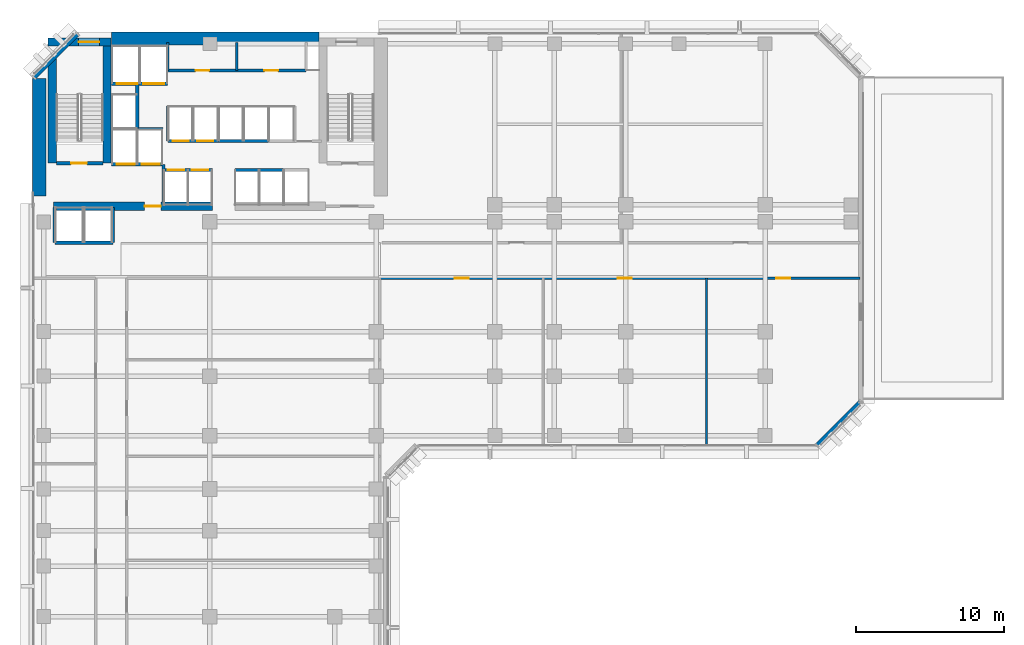
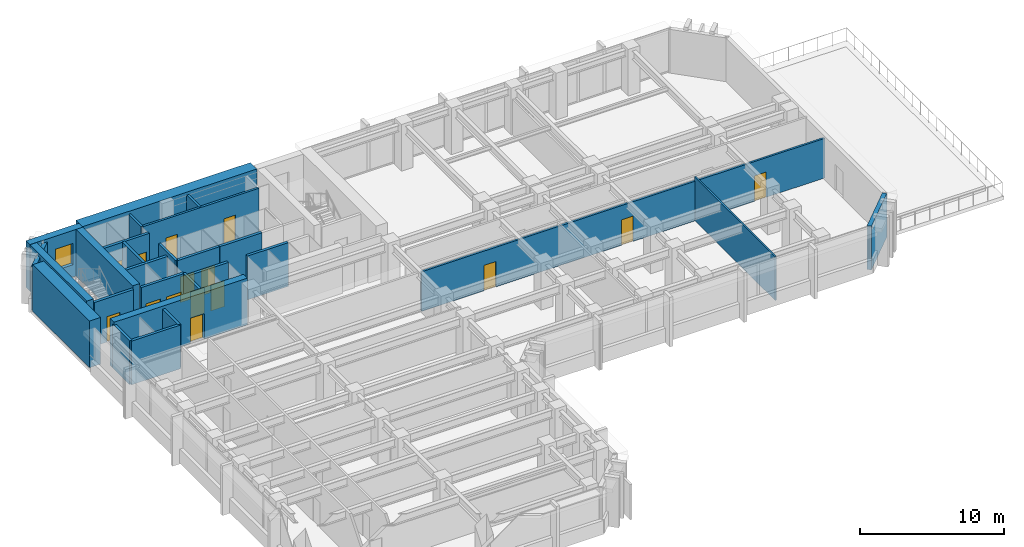
# One storey, part 7 of 13: 27 walls, 15 doors, 1 window, 16 openings.
"""IFC4 building model written with IfcOpenShell, lengths in metres."""

from ifc_helpers import new_model, si_unit, direction, frame, frame_2d, origin, place, context, subcontext, project, spatial, rectangle, extrude, material, layer, layer_set, type_object, element, fill, save


model = new_model("IFC4")

# Units and contexts
model_context = context("Model", 3, precision=1e-05, world=origin(), true_north=direction((0.0, 1.0)))
body_context = subcontext(model_context, "Body", "Model", "MODEL_VIEW")
ifc_project = project(units=[si_unit("LENGTHUNIT", "METRE"), si_unit("AREAUNIT", "SQUARE_METRE"), si_unit("VOLUMEUNIT", "CUBIC_METRE"), si_unit("PLANEANGLEUNIT", "RADIAN"), si_unit("MASSUNIT", "GRAM", prefix="KILO")], contexts=[model_context])

# Site, building, storey
site_placement = place(None, origin())
site = spatial("IfcSite", under=ifc_project, at=site_placement, CompositionType="ELEMENT")
building_placement = place(site_placement, origin())
building = spatial("IfcBuilding", under=site, at=building_placement, Name="Kefirva Bronze Tower", CompositionType="ELEMENT")
storey_placement = place(building_placement, frame((0.0, 0.0, 30.360107421875)))
storey = spatial("IfcBuildingStorey", under=building, at=storey_placement, Name="L06", CompositionType="ELEMENT", Elevation=30.360107421875)

# Wall
ifc_material_1 = material(Name="Gypsum acoustic partition")
ifc_layer_1 = layer(ifc_material_1, 0.1298828125, Name="Gypsum acoustic partition")
ifc_layer_set_1 = layer_set([ifc_layer_1], Name="Gypsum acoustic partition")
wall_type_1 = type_object("IfcWallType", Name="Acoustic Office Partition 130mm", PredefinedType="PARTITIONING", material=ifc_layer_set_1)
wall_1_placement = place(storey_placement, frame((45.454833984375, 18.18994140625, 0.0), z_axis=(0.0, 0.0, 1.0), x_axis=(0.0, 1.0, 0.0)))
element("IfcWall", 1, at=wall_1_placement, inside=storey, type_object=wall_type_1, Name="L06 Partition W-L06-ESD2", PredefinedType="PARTITIONING", context=body_context, shape_type="SweptSolid", body=[
    extrude(rectangle(XDim=11.2099609375, YDim=0.1298828125, at=frame_2d((5.60498046875, 0.0))), origin(), (0.0, 0.0, 1.0), 3.7099609375),
])

# Wall, opening, door
ifc_material_2 = material(Name="Gypsum fireboard shaftwall")
ifc_layer_2 = layer(ifc_material_2, 0.219970703125, Name="Gypsum fireboard shaftwall")
ifc_layer_set_2 = layer_set([ifc_layer_2], Name="Gypsum fireboard shaftwall")
wall_type_2 = type_object("IfcWallType", Name="Fire-Rated Shaft Enclosure Wall 220mm", PredefinedType="PARTITIONING", material=ifc_layer_set_2)
wall_2_placement = place(storey_placement, frame((1.64990234375, 37.14990234375, 0.0), z_axis=(0.0, 0.0, 1.0), x_axis=(1.0, 0.0, 0.0)))
wall_2 = element("IfcWall", 2, at=wall_2_placement, inside=storey, type_object=wall_type_2, Name="L06 Partition W-L06-ST1S", PredefinedType="PARTITIONING", context=body_context, shape_type="SweptSolid", body=[
    extrude(rectangle(XDim=3.150146484375, YDim=0.219970703125, at=frame_2d((1.5751953125, 0.0))), origin(), (0.0, 0.0, 1.0), 3.7099609375),
])
opening_1_placement = place(wall_2_placement, frame((2.050048828125, 0.0, 0.0), z_axis=(0.0, 0.0, 1.0), x_axis=(-1.0, 0.0, 0.0)))
opening_1 = element("IfcOpeningElement", 3, at=opening_1_placement, cuts=wall_2, Name="Opening L06-D001", PredefinedType="OPENING", context=body_context, shape_type="SweptSolid", body=[
    extrude(rectangle(XDim=1.050048828125, YDim=2.14990234375, at=frame_2d((0.52490234375, 1.074951171875))), frame((0.0, 0.1201171875, 0.0), z_axis=(0.0, -1.0, 0.0), x_axis=(1.0, 0.0, 0.0)), (0.0, 0.0, 1.0), 0.239990234375),
])
ifc_material_3 = material(Name="Painted galvanized steel", Category="steel")
door_type_1 = type_object("IfcDoorType", Name="Fire Stair Enclosure Door 1050x2150 FD90S", OperationType="NOTDEFINED", PredefinedType="DOOR", material=ifc_material_3)
door_1_placement = place(opening_1_placement, origin())
door_1 = element("IfcDoor", 4, at=door_1_placement, inside=storey, type_object=door_type_1, Name="Door L06-D001", OperationType="SINGLE_SWING_RIGHT", OverallHeight=2.14990234375, OverallWidth=1.050048828125, PredefinedType="DOOR", context=body_context, shape_type="SweptSolid", body=[
    extrude(rectangle(XDim=1.050048828125, YDim=2.14990234375, at=frame_2d((0.52490234375, 1.074951171875))), frame((0.0, 0.02490234375, 0.0), z_axis=(0.0, -1.0, 0.0), x_axis=(1.0, 0.0, 0.0)), (0.0, 0.0, 1.0), 0.050048828125),
])
fill(opening_1, door_1)

# Wall, openings, doors
wall_3_placement = place(storey_placement, frame((5.3798828125, 37.080078125, 0.0), z_axis=(0.0, 0.0, 1.0), x_axis=(1.0, 0.0, 0.0)))
wall_3 = element("IfcWall", 5, at=wall_3_placement, inside=storey, type_object=wall_type_2, Name="L06 Partition W-L06-FFS", PredefinedType="PARTITIONING", context=body_context, shape_type="SweptSolid", body=[
    extrude(rectangle(XDim=3.460205078125, YDim=0.219970703125, at=frame_2d((1.72998046875, 0.0))), origin(), (0.0, 0.0, 1.0), 3.7099609375),
])
opening_2_placement = place(wall_3_placement, frame((1.550048828125, 0.0, 0.0), z_axis=(0.0, 0.0, 1.0), x_axis=(-1.0, 0.0, 0.0)))
opening_2 = element("IfcOpeningElement", 6, at=opening_2_placement, cuts=wall_3, Name="Opening L06-LD-FF1", PredefinedType="OPENING", context=body_context, shape_type="SweptSolid", body=[
    extrude(rectangle(XDim=1.199951171875, YDim=2.199951171875, at=frame_2d((0.60009765625, 1.10009765625))), frame((0.0, 0.1201171875, 0.0), z_axis=(0.0, -1.0, 0.0), x_axis=(1.0, 0.0, 0.0)), (0.0, 0.0, 1.0), 0.239990234375),
])
opening_3_placement = place(wall_3_placement, frame((3.219970703125, 0.0, 0.0), z_axis=(0.0, 0.0, 1.0), x_axis=(-1.0, 0.0, 0.0)))
opening_3 = element("IfcOpeningElement", 7, at=opening_3_placement, cuts=wall_3, Name="Opening L06-LD-FF2", PredefinedType="OPENING", context=body_context, shape_type="SweptSolid", body=[
    extrude(rectangle(XDim=1.199951171875, YDim=2.199951171875, at=frame_2d((0.60009765625, 1.10009765625))), frame((0.0, 0.1201171875, 0.0), z_axis=(0.0, -1.0, 0.0), x_axis=(1.0, 0.0, 0.0)), (0.0, 0.0, 1.0), 0.239990234375),
])
ifc_material_4 = material(Name="Stainless steel 316", Category="steel")
door_type_2 = type_object("IfcDoorType", Name="Firefighting Lift Sliding Door 1200x2200", OperationType="SLIDING_TO_RIGHT", PredefinedType="DOOR", material=ifc_material_4)
door_2_placement = place(opening_2_placement, origin())
door_2 = element("IfcDoor", 8, at=door_2_placement, inside=storey, type_object=door_type_2, Name="Door L06-LD-FF1", OperationType="SLIDING_TO_RIGHT", OverallHeight=2.199951171875, OverallWidth=1.199951171875, PredefinedType="DOOR", context=body_context, shape_type="SweptSolid", body=[
    extrude(rectangle(XDim=1.199951171875, YDim=2.199951171875, at=frame_2d((0.60009765625, 1.10009765625))), frame((0.0, 0.02490234375, 0.0), z_axis=(0.0, -1.0, 0.0), x_axis=(1.0, 0.0, 0.0)), (0.0, 0.0, 1.0), 0.050048828125),
])
fill(opening_2, door_2)
door_3_placement = place(opening_3_placement, origin())
door_3 = element("IfcDoor", 9, at=door_3_placement, inside=storey, type_object=door_type_2, Name="Door L06-LD-FF2", OperationType="SLIDING_TO_RIGHT", OverallHeight=2.199951171875, OverallWidth=1.199951171875, PredefinedType="DOOR", context=body_context, shape_type="SweptSolid", body=[
    extrude(rectangle(XDim=1.199951171875, YDim=2.199951171875, at=frame_2d((0.60009765625, 1.10009765625))), frame((0.0, 0.02490234375, 0.0), z_axis=(0.0, -1.0, 0.0), x_axis=(1.0, 0.0, 0.0)), (0.0, 0.0, 1.0), 0.050048828125),
])
fill(opening_3, door_3)

# Wall
wall_4_placement = place(storey_placement, frame((5.3798828125, 39.449951171875, 0.0), z_axis=(0.0, 0.0, 1.0), x_axis=(1.0, 0.0, 0.0)))
element("IfcWall", 10, at=wall_4_placement, inside=storey, type_object=wall_type_2, Name="L06 Partition W-L06-FFN", PredefinedType="PARTITIONING", context=body_context, shape_type="SweptSolid", body=[
    extrude(rectangle(XDim=3.460205078125, YDim=0.219970703125, at=frame_2d((1.72998046875, 0.0))), origin(), (0.0, 0.0, 1.0), 3.7099609375),
])

# Wall, openings, doors
wall_5_placement = place(storey_placement, frame((5.3798828125, 42.5, 0.0), z_axis=(0.0, 0.0, 1.0), x_axis=(1.0, 0.0, 0.0)))
wall_5 = element("IfcWall", 11, at=wall_5_placement, inside=storey, type_object=wall_type_2, Name="L06 Partition W-L06-SVS", PredefinedType="PARTITIONING", context=body_context, shape_type="SweptSolid", body=[
    extrude(rectangle(XDim=3.77001953125, YDim=0.219970703125, at=frame_2d((1.885009765625, 0.0))), origin(), (0.0, 0.0, 1.0), 3.7099609375),
])
opening_4_placement = place(wall_5_placement, frame((1.75, 0.0, 0.0), z_axis=(0.0, 0.0, 1.0), x_axis=(-1.0, 0.0, 0.0)))
opening_4 = element("IfcOpeningElement", 12, at=opening_4_placement, cuts=wall_5, Name="Opening L06-LD-SV1", PredefinedType="OPENING", context=body_context, shape_type="SweptSolid", body=[
    extrude(rectangle(XDim=1.39990234375, YDim=2.199951171875, at=frame_2d((0.699951171875, 1.10009765625))), frame((0.0, 0.1201171875, 0.0), z_axis=(0.0, -1.0, 0.0), x_axis=(1.0, 0.0, 0.0)), (0.0, 0.0, 1.0), 0.239990234375),
])
opening_5_placement = place(wall_5_placement, frame((3.52978515625, 0.0, 0.0), z_axis=(0.0, 0.0, 1.0), x_axis=(-1.0, 0.0, 0.0)))
opening_5 = element("IfcOpeningElement", 13, at=opening_5_placement, cuts=wall_5, Name="Opening L06-LD-SV2", PredefinedType="OPENING", context=body_context, shape_type="SweptSolid", body=[
    extrude(rectangle(XDim=1.39990234375, YDim=2.199951171875, at=frame_2d((0.699951171875, 1.10009765625))), frame((0.0, 0.1201171875, 0.0), z_axis=(0.0, -1.0, 0.0), x_axis=(1.0, 0.0, 0.0)), (0.0, 0.0, 1.0), 0.239990234375),
])
door_type_3 = type_object("IfcDoorType", Name="Goods Lift Bi-Parting Sliding Door 1400x2200", OperationType="SLIDING_TO_LEFT", PredefinedType="DOOR", material=ifc_material_4)
door_4_placement = place(opening_4_placement, origin())
door_4 = element("IfcDoor", 14, at=door_4_placement, inside=storey, type_object=door_type_3, Name="Door L06-LD-SV1", OperationType="SLIDING_TO_LEFT", OverallHeight=2.199951171875, OverallWidth=1.39990234375, PredefinedType="DOOR", context=body_context, shape_type="SweptSolid", body=[
    extrude(rectangle(XDim=1.39990234375, YDim=2.199951171875, at=frame_2d((0.699951171875, 1.10009765625))), frame((0.0, 0.02490234375, 0.0), z_axis=(0.0, -1.0, 0.0), x_axis=(1.0, 0.0, 0.0)), (0.0, 0.0, 1.0), 0.050048828125),
])
fill(opening_4, door_4)
door_5_placement = place(opening_5_placement, origin())
door_5 = element("IfcDoor", 15, at=door_5_placement, inside=storey, type_object=door_type_3, Name="Door L06-LD-SV2", OperationType="SLIDING_TO_LEFT", OverallHeight=2.199951171875, OverallWidth=1.39990234375, PredefinedType="DOOR", context=body_context, shape_type="SweptSolid", body=[
    extrude(rectangle(XDim=1.39990234375, YDim=2.199951171875, at=frame_2d((0.699951171875, 1.10009765625))), frame((0.0, 0.02490234375, 0.0), z_axis=(0.0, -1.0, 0.0), x_axis=(1.0, 0.0, 0.0)), (0.0, 0.0, 1.0), 0.050048828125),
])
fill(opening_5, door_5)

# Walls
wall_6_placement = place(storey_placement, frame((7.10009765625, 39.52001953125, 0.0), z_axis=(0.0, 0.0, 1.0), x_axis=(0.0, 1.0, 0.0)))
element("IfcWall", 16, at=wall_6_placement, inside=storey, type_object=wall_type_2, Name="L06 Partition W-L06-HP3E", PredefinedType="PARTITIONING", context=body_context, shape_type="SweptSolid", body=[
    extrude(rectangle(XDim=2.929931640625, YDim=0.219970703125, at=frame_2d((1.46484375, 0.0))), origin(), (0.0, 0.0, 1.0), 3.7099609375),
])
wall_7_placement = place(storey_placement, frame((1.550048828125, 31.800048828125, 0.0), z_axis=(0.0, 0.0, 1.0), x_axis=(1.0, 0.0, 0.0)))
element("IfcWall", 17, at=wall_7_placement, inside=storey, type_object=wall_type_2, Name="L06 Partition W-L06-OBS", PredefinedType="PARTITIONING", context=body_context, shape_type="SweptSolid", body=[
    extrude(rectangle(XDim=3.89990234375, YDim=0.219970703125, at=frame_2d((1.949951171875, 0.0))), origin(), (0.0, 0.0, 1.0), 3.7099609375),
])
for number, where, z_axis, x_axis, name in (
    (18, (1.550048828125, 31.800048828125, 0.0), (0.0, 0.0, 1.0), (0.0, 1.0, 0.0), "L06 Partition W-L06-OBW"),
    (19, (5.449951171875, 31.800048828125, 0.0), (0.0, 0.0, 1.0), (0.0, 1.0, 0.0), "L06 Partition W-L06-OBE"),
):
    element("IfcWall", number, at=place(storey_placement, frame(where, z_axis=z_axis, x_axis=x_axis)), inside=storey, type_object=wall_type_2, Name=name, PredefinedType="PARTITIONING", context=body_context, shape_type="SweptSolid", body=[
        extrude(rectangle(XDim=2.3798828125, YDim=0.219970703125, at=frame_2d((1.18994140625, 0.0))), origin(), (0.0, 0.0, 1.0), 3.7099609375),
    ])
wall_8_placement = place(storey_placement, frame((9.159912109375, 38.64990234375, 0.0), z_axis=(0.0, 0.0, 1.0), x_axis=(0.0, 1.0, 0.0)))
element("IfcWall", 20, at=wall_8_placement, inside=storey, type_object=wall_type_2, Name="L06 Partition W-L06-LP3W", PredefinedType="PARTITIONING", context=body_context, shape_type="SweptSolid", body=[
    extrude(rectangle(XDim=2.35009765625, YDim=0.199951171875, at=frame_2d((1.175048828125, 0.0))), origin(), (0.0, 0.0, 1.0), 3.7099609375),
])

# Wall, openings, doors
wall_9_placement = place(storey_placement, frame((8.89990234375, 36.699951171875, 0.0), z_axis=(0.0, 0.0, 1.0), x_axis=(1.0, 0.0, 0.0)))
wall_9 = element("IfcWall", 21, at=wall_9_placement, inside=storey, type_object=wall_type_2, Name="L06 Partition W-L06-LPS", PredefinedType="PARTITIONING", context=body_context, shape_type="SweptSolid", body=[
    extrude(rectangle(XDim=3.260009765625, YDim=0.219970703125, at=frame_2d((1.6298828125, 0.0))), origin(), (0.0, 0.0, 1.0), 3.7099609375),
])
opening_6_placement = place(wall_9_placement, frame((0.260009765625, 0.0, 0.0)))
opening_6 = element("IfcOpeningElement", 22, at=opening_6_placement, cuts=wall_9, Name="Opening L06-LD-LP1", PredefinedType="OPENING", context=body_context, shape_type="SweptSolid", body=[
    extrude(rectangle(XDim=1.10009765625, YDim=2.199951171875, at=frame_2d((0.550048828125, 1.10009765625))), frame((0.0, 0.1201171875, 0.0), z_axis=(0.0, -1.0, 0.0), x_axis=(1.0, 0.0, 0.0)), (0.0, 0.0, 1.0), 0.239990234375),
])
opening_7_placement = place(wall_9_placement, frame((1.8798828125, 0.0, 0.0)))
opening_7 = element("IfcOpeningElement", 23, at=opening_7_placement, cuts=wall_9, Name="Opening L06-LD-LP2", PredefinedType="OPENING", context=body_context, shape_type="SweptSolid", body=[
    extrude(rectangle(XDim=1.10009765625, YDim=2.199951171875, at=frame_2d((0.550048828125, 1.10009765625))), frame((0.0, 0.1201171875, 0.0), z_axis=(0.0, -1.0, 0.0), x_axis=(1.0, 0.0, 0.0)), (0.0, 0.0, 1.0), 0.239990234375),
])
door_type_4 = type_object("IfcDoorType", Name="Passenger Lift Sliding Landing Door 1100x2200", OperationType="SLIDING_TO_LEFT", PredefinedType="DOOR", material=ifc_material_4)
door_6_placement = place(opening_6_placement, origin())
door_6 = element("IfcDoor", 24, at=door_6_placement, inside=storey, type_object=door_type_4, Name="Door L06-LD-LP1", OperationType="SLIDING_TO_LEFT", OverallHeight=2.199951171875, OverallWidth=1.10009765625, PredefinedType="DOOR", context=body_context, shape_type="SweptSolid", body=[
    extrude(rectangle(XDim=1.10009765625, YDim=2.199951171875, at=frame_2d((0.550048828125, 1.10009765625))), frame((0.0, 0.02490234375, 0.0), z_axis=(0.0, -1.0, 0.0), x_axis=(1.0, 0.0, 0.0)), (0.0, 0.0, 1.0), 0.050048828125),
])
fill(opening_6, door_6)
door_7_placement = place(opening_7_placement, origin())
door_7 = element("IfcDoor", 25, at=door_7_placement, inside=storey, type_object=door_type_4, Name="Door L06-LD-LP2", OperationType="SLIDING_TO_LEFT", OverallHeight=2.199951171875, OverallWidth=1.10009765625, PredefinedType="DOOR", context=body_context, shape_type="SweptSolid", body=[
    extrude(rectangle(XDim=1.10009765625, YDim=2.199951171875, at=frame_2d((0.550048828125, 1.10009765625))), frame((0.0, 0.02490234375, 0.0), z_axis=(0.0, -1.0, 0.0), x_axis=(1.0, 0.0, 0.0)), (0.0, 0.0, 1.0), 0.050048828125),
])
fill(opening_7, door_7)

wall_10_placement = place(storey_placement, frame((9.179931640625, 38.64990234375, 0.0), z_axis=(0.0, 0.0, 1.0), x_axis=(1.0, 0.0, 0.0)))
wall_10 = element("IfcWall", 26, at=wall_10_placement, inside=storey, type_object=wall_type_2, Name="L06 Partition W-L06-LPN", PredefinedType="PARTITIONING", context=body_context, shape_type="SweptSolid", body=[
    extrude(rectangle(XDim=3.380126953125, YDim=0.219970703125, at=frame_2d((1.68994140625, 0.0))), origin(), (0.0, 0.0, 1.0), 3.7099609375),
])
opening_8_placement = place(wall_10_placement, frame((0.300048828125, 0.0, 0.0)))
opening_8 = element("IfcOpeningElement", 27, at=opening_8_placement, cuts=wall_10, Name="Opening L06-LD-LP3", PredefinedType="OPENING", context=body_context, shape_type="SweptSolid", body=[
    extrude(rectangle(XDim=1.10009765625, YDim=2.199951171875, at=frame_2d((0.550048828125, 1.10009765625))), frame((0.0, 0.1201171875, 0.0), z_axis=(0.0, -1.0, 0.0), x_axis=(1.0, 0.0, 0.0)), (0.0, 0.0, 1.0), 0.239990234375),
])
opening_9_placement = place(wall_10_placement, frame((1.949951171875, 0.0, 0.0)))
opening_9 = element("IfcOpeningElement", 28, at=opening_9_placement, cuts=wall_10, Name="Opening L06-LD-LP4", PredefinedType="OPENING", context=body_context, shape_type="SweptSolid", body=[
    extrude(rectangle(XDim=1.10009765625, YDim=2.199951171875, at=frame_2d((0.550048828125, 1.10009765625))), frame((0.0, 0.1201171875, 0.0), z_axis=(0.0, -1.0, 0.0), x_axis=(1.0, 0.0, 0.0)), (0.0, 0.0, 1.0), 0.239990234375),
])
door_8_placement = place(opening_8_placement, origin())
door_8 = element("IfcDoor", 29, at=door_8_placement, inside=storey, type_object=door_type_4, Name="Door L06-LD-LP3", OperationType="SLIDING_TO_LEFT", OverallHeight=2.199951171875, OverallWidth=1.10009765625, PredefinedType="DOOR", context=body_context, shape_type="SweptSolid", body=[
    extrude(rectangle(XDim=1.10009765625, YDim=2.199951171875, at=frame_2d((0.550048828125, 1.10009765625))), frame((0.0, 0.02490234375, 0.0), z_axis=(0.0, -1.0, 0.0), x_axis=(1.0, 0.0, 0.0)), (0.0, 0.0, 1.0), 0.050048828125),
])
fill(opening_8, door_8)
door_9_placement = place(opening_9_placement, origin())
door_9 = element("IfcDoor", 30, at=door_9_placement, inside=storey, type_object=door_type_4, Name="Door L06-LD-LP4", OperationType="SLIDING_TO_LEFT", OverallHeight=2.199951171875, OverallWidth=1.10009765625, PredefinedType="DOOR", context=body_context, shape_type="SweptSolid", body=[
    extrude(rectangle(XDim=1.10009765625, YDim=2.199951171875, at=frame_2d((0.550048828125, 1.10009765625))), frame((0.0, 0.02490234375, 0.0), z_axis=(0.0, -1.0, 0.0), x_axis=(1.0, 0.0, 0.0)), (0.0, 0.0, 1.0), 0.050048828125),
])
fill(opening_9, door_9)

# Walls
wall_11_placement = place(storey_placement, frame((13.679931640625, 36.699951171875, 0.0), z_axis=(0.0, 0.0, 1.0), x_axis=(1.0, 0.0, 0.0)))
element("IfcWall", 31, at=wall_11_placement, inside=storey, type_object=wall_type_2, Name="L06 Partition W-L06-MPS", PredefinedType="PARTITIONING", context=body_context, shape_type="SweptSolid", body=[
    extrude(rectangle(XDim=3.280029296875, YDim=0.219970703125, at=frame_2d((1.64013671875, 0.0))), origin(), (0.0, 0.0, 1.0), 3.7099609375),
])
wall_12_placement = place(storey_placement, frame((12.580078125, 38.64990234375, 0.0), z_axis=(0.0, 0.0, 1.0), x_axis=(1.0, 0.0, 0.0)))
element("IfcWall", 32, at=wall_12_placement, inside=storey, type_object=wall_type_2, Name="L06 Partition W-L06-MPN", PredefinedType="PARTITIONING", context=body_context, shape_type="SweptSolid", body=[
    extrude(rectangle(XDim=3.3798828125, YDim=0.219970703125, at=frame_2d((1.68994140625, 0.0))), origin(), (0.0, 0.0, 1.0), 3.7099609375),
])
ifc_material_5 = material(Name="Gypsum fireboard barrier")
ifc_layer_3 = layer(ifc_material_5, 0.199951171875, Name="Gypsum fireboard barrier")
ifc_layer_set_3 = layer_set([ifc_layer_3], Name="Gypsum fireboard barrier")
wall_type_3 = type_object("IfcWallType", Name="Firefighting Lobby Barrier Wall 200mm", PredefinedType="PARTITIONING", material=ifc_layer_set_3)
wall_13_placement = place(storey_placement, frame((8.860107421875, 34.550048828125, 0.0), z_axis=(0.0, 0.0, 1.0), x_axis=(0.0, 1.0, 0.0)))
element("IfcWall", 33, at=wall_13_placement, inside=storey, type_object=wall_type_3, Name="L06 Partition W-L06-FFLE", PredefinedType="PARTITIONING", context=body_context, shape_type="SweptSolid", body=[
    extrude(rectangle(XDim=2.5, YDim=0.199951171875, at=frame_2d((1.25, 0.0))), origin(), (0.0, 0.0, 1.0), 3.7099609375),
])
ifc_material_6 = material(Name="Precast concrete C40/50", Category="concrete")
ifc_layer_4 = layer(ifc_material_6, 0.320068359375, Name="Precast concrete C40/50")
ifc_layer_set_4 = layer_set([ifc_layer_4], Name="Precast concrete C40/50")
wall_type_4 = type_object("IfcWallType", Name="Precast Insulated Exterior Wall 320mm", PredefinedType="SOLIDWALL", material=ifc_layer_set_4)
for number, where, z_axis, x_axis, name in (
    (34, (52.92578125, 18.152099609375, 0.0), (0.0, 0.0, 1.0), (0.707106781187, 0.707106781187, 0.0), "L06 Exterior Facade Wall 4"),
    (35, (3.07421875, 45.847900390625, 0.0), (0.0, 0.0, 1.0), (-0.707106781187, -0.707106781187, 0.0), "L06 Exterior Facade Wall 7"),
):
    element("IfcWall", number, at=place(storey_placement, frame(where, z_axis=z_axis, x_axis=x_axis)), inside=storey, type_object=wall_type_4, Name=name, PredefinedType="SOLIDWALL", context=body_context, shape_type="SweptSolid", body=[
        extrude(rectangle(XDim=4.132568359375, YDim=0.320068359375, at=frame_2d((2.06640625, 0.0))), origin(), (0.0, 0.0, 1.0), 3.7099609375),
    ])

# Wall, openings, doors
ifc_layer_5 = layer(ifc_material_1, 0.159912109375, Name="Gypsum acoustic partition")
ifc_layer_set_5 = layer_set([ifc_layer_5], Name="Gypsum acoustic partition")
wall_type_5 = type_object("IfcWallType", Name="Protected Corridor Partition 160mm", PredefinedType="PARTITIONING", material=ifc_layer_set_5)
wall_14_placement = place(storey_placement, frame((23.449951171875, 29.39990234375, 0.0), z_axis=(0.0, 0.0, 1.0), x_axis=(1.0, 0.0, 0.0)))
wall_14 = element("IfcWall", 36, at=wall_14_placement, inside=storey, type_object=wall_type_5, Name="L06 Partition W-L06-EWS", PredefinedType="PARTITIONING", context=body_context, shape_type="SweptSolid", body=[
    extrude(rectangle(XDim=32.360107421875, YDim=0.159912109375, at=frame_2d((16.18017578125, 0.0))), origin(), (0.0, 0.0, 1.0), 3.364990234375),
])
opening_10_placement = place(wall_14_placement, frame((5.97607421875, 0.0, 0.0), z_axis=(0.0, 0.0, 1.0), x_axis=(-1.0, 0.0, 0.0)))
opening_10 = element("IfcOpeningElement", 37, at=opening_10_placement, cuts=wall_14, Name="Opening L06-D-ES1", PredefinedType="OPENING", context=body_context, shape_type="SweptSolid", body=[
    extrude(rectangle(XDim=0.949951171875, YDim=2.14990234375, at=frame_2d((0.47509765625, 1.074951171875))), frame((0.0, 0.08984375, 0.0), z_axis=(0.0, -1.0, 0.0), x_axis=(1.0, 0.0, 0.0)), (0.0, 0.0, 1.0), 0.179931640625),
])
opening_11_placement = place(wall_14_placement, frame((16.978515625, 0.0, 0.0), z_axis=(0.0, 0.0, 1.0), x_axis=(-1.0, 0.0, 0.0)))
opening_11 = element("IfcOpeningElement", 38, at=opening_11_placement, cuts=wall_14, Name="Opening L06-D-ES2", PredefinedType="OPENING", context=body_context, shape_type="SweptSolid", body=[
    extrude(rectangle(XDim=0.949951171875, YDim=2.14990234375, at=frame_2d((0.47509765625, 1.074951171875))), frame((0.0, 0.08984375, 0.0), z_axis=(0.0, -1.0, 0.0), x_axis=(1.0, 0.0, 0.0)), (0.0, 0.0, 1.0), 0.179931640625),
])
opening_12_placement = place(wall_14_placement, frame((27.657470703125, 0.0, 0.0), z_axis=(0.0, 0.0, 1.0), x_axis=(-1.0, 0.0, 0.0)))
opening_12 = element("IfcOpeningElement", 39, at=opening_12_placement, cuts=wall_14, Name="Opening L06-D-ES3", PredefinedType="OPENING", context=body_context, shape_type="SweptSolid", body=[
    extrude(rectangle(XDim=0.949951171875, YDim=2.14990234375, at=frame_2d((0.47509765625, 1.074951171875))), frame((0.0, 0.08984375, 0.0), z_axis=(0.0, -1.0, 0.0), x_axis=(1.0, 0.0, 0.0)), (0.0, 0.0, 1.0), 0.179931640625),
])
ifc_material_7 = material(Name="Acoustic hardwood oak", Category="wood")
door_type_5 = type_object("IfcDoorType", Name="Office & Meeting Room Door 950x2150", OperationType="NOTDEFINED", PredefinedType="DOOR", material=ifc_material_7)
door_10_placement = place(opening_10_placement, origin())
door_10 = element("IfcDoor", 40, at=door_10_placement, inside=storey, type_object=door_type_5, Name="Door L06-D-ES1", OperationType="SINGLE_SWING_RIGHT", OverallHeight=2.14990234375, OverallWidth=0.949951171875, PredefinedType="DOOR", context=body_context, shape_type="SweptSolid", body=[
    extrude(rectangle(XDim=0.949951171875, YDim=2.14990234375, at=frame_2d((0.47509765625, 1.074951171875))), frame((0.0, 0.02490234375, 0.0), z_axis=(0.0, -1.0, 0.0), x_axis=(1.0, 0.0, 0.0)), (0.0, 0.0, 1.0), 0.050048828125),
])
fill(opening_10, door_10)
door_11_placement = place(opening_11_placement, origin())
door_11 = element("IfcDoor", 41, at=door_11_placement, inside=storey, type_object=door_type_5, Name="Door L06-D-ES2", OperationType="SINGLE_SWING_LEFT", OverallHeight=2.14990234375, OverallWidth=0.949951171875, PredefinedType="DOOR", context=body_context, shape_type="SweptSolid", body=[
    extrude(rectangle(XDim=0.949951171875, YDim=2.14990234375, at=frame_2d((0.47509765625, 1.074951171875))), frame((0.0, 0.02490234375, 0.0), z_axis=(0.0, -1.0, 0.0), x_axis=(1.0, 0.0, 0.0)), (0.0, 0.0, 1.0), 0.050048828125),
])
fill(opening_11, door_11)
door_12_placement = place(opening_12_placement, origin())
door_12 = element("IfcDoor", 42, at=door_12_placement, inside=storey, type_object=door_type_5, Name="Door L06-D-ES3", OperationType="SINGLE_SWING_RIGHT", OverallHeight=2.14990234375, OverallWidth=0.949951171875, PredefinedType="DOOR", context=body_context, shape_type="SweptSolid", body=[
    extrude(rectangle(XDim=0.949951171875, YDim=2.14990234375, at=frame_2d((0.47509765625, 1.074951171875))), frame((0.0, 0.02490234375, 0.0), z_axis=(0.0, -1.0, 0.0), x_axis=(1.0, 0.0, 0.0)), (0.0, 0.0, 1.0), 0.050048828125),
])
fill(opening_12, door_12)

# Wall, opening, window
ifc_material_8 = material(Name="Concrete C50/60", Category="concrete")
ifc_layer_6 = layer(ifc_material_8, 0.550048828125, Name="Concrete C50/60")
ifc_layer_set_6 = layer_set([ifc_layer_6], Name="Concrete C50/60")
wall_type_6 = type_object("IfcWallType", Name="RC Rear Core Exterior Wall 550mm", PredefinedType="SHEAR", material=ifc_layer_set_6)
wall_15_placement = place(storey_placement, frame((1.10009765625, 45.320068359375, 0.0), z_axis=(0.0, 0.0, 1.0), x_axis=(1.0, 0.0, 0.0)))
wall_15 = element("IfcWall", 43, at=wall_15_placement, inside=storey, type_object=wall_type_6, Name="L06 Stair 1 North Shear Wall", PredefinedType="SHEAR", context=body_context, shape_type="SweptSolid", body=[
    extrude(rectangle(XDim=4.239990234375, YDim=0.550048828125, at=frame_2d((2.1201171875, 0.0))), origin(), (0.0, 0.0, 1.0), 3.9599609375),
])
opening_13_placement = place(wall_15_placement, frame((2.050048828125, 0.0, 1.050048828125)))
opening_13 = element("IfcOpeningElement", 44, at=opening_13_placement, cuts=wall_15, Name="Opening WN-03", PredefinedType="OPENING", context=body_context, shape_type="SweptSolid", body=[
    extrude(rectangle(XDim=1.39990234375, YDim=1.800048828125, at=frame_2d((0.699951171875, 0.89990234375))), frame((0.0, 0.28515625, 0.0), z_axis=(0.0, -1.0, 0.0), x_axis=(1.0, 0.0, 0.0)), (0.0, 0.0, 1.0), 0.570068359375),
])
ifc_material_9 = material(Name="Laminated low-E double glazing", Category="glass")
window_type = type_object("IfcWindowType", Name="Rear-Core Stair Daylight Window 1400x1800", PartitioningType="SINGLE_PANEL", PredefinedType="WINDOW", material=ifc_material_9)
window_placement = place(opening_13_placement, origin())
window = element("IfcWindow", 45, at=window_placement, inside=storey, type_object=window_type, Name="L06 Stair 1 Daylight Window", OverallHeight=1.800048828125, OverallWidth=1.39990234375, PartitioningType="SINGLE_PANEL", PredefinedType="WINDOW", context=body_context, shape_type="SweptSolid", body=[
    extrude(rectangle(XDim=1.39990234375, YDim=1.800048828125, at=frame_2d((0.699951171875, 0.89990234375))), frame((0.0, 0.030029296875, 0.0), z_axis=(0.0, -1.0, 0.0), x_axis=(1.0, 0.0, 0.0)), (0.0, 0.0, 1.0), 0.06005859375),
])
fill(opening_13, window)

# Walls
ifc_material_10 = material(Name="Concrete C60/75", Category="concrete")
ifc_layer_7 = layer(ifc_material_10, 0.89990234375, Name="Concrete C60/75")
ifc_layer_set_7 = layer_set([ifc_layer_7], Name="Concrete C60/75")
wall_type_7 = type_object("IfcWallType", Name="RC Rear Core Exterior Wall 900mm", PredefinedType="SHEAR", material=ifc_layer_set_7)
wall_16_placement = place(storey_placement, frame((5.360107421875, 45.550048828125, 0.0), z_axis=(0.0, 0.0, 1.0), x_axis=(1.0, 0.0, 0.0)))
element("IfcWall", 46, at=wall_16_placement, inside=storey, type_object=wall_type_7, Name="L06 Rear Core North Shear Wall", PredefinedType="SHEAR", context=body_context, shape_type="SweptSolid", body=[
    extrude(rectangle(XDim=13.97998046875, YDim=0.89990234375, at=frame_2d((6.989990234375, 0.0))), origin(), (0.0, 0.0, 1.0), 3.9599609375),
])
wall_17_placement = place(storey_placement, frame((0.5, 34.949951171875, 0.0), z_axis=(0.0, 0.0, 1.0), x_axis=(0.0, 1.0, 0.0)))
element("IfcWall", 47, at=wall_17_placement, inside=storey, type_object=wall_type_7, Name="L06 Rear Core West Shear Wall", PredefinedType="SHEAR", context=body_context, shape_type="SweptSolid", body=[
    extrude(rectangle(XDim=7.900146484375, YDim=0.89990234375, at=frame_2d((3.9501953125, 0.0))), origin(), (0.0, 0.0, 1.0), 3.9599609375),
])
ifc_layer_8 = layer(ifc_material_8, 0.550048828125, Name="Concrete C50/60")
ifc_layer_set_8 = layer_set([ifc_layer_8], Name="Concrete C50/60")
wall_type_8 = type_object("IfcWallType", Name="RC Rear Core Interior Wall 550mm", PredefinedType="SHEAR", material=ifc_layer_set_8)
for number, where, z_axis, x_axis, name in (
    (48, (1.3701171875, 37.14990234375, 0.0), (0.0, 0.0, 1.0), (0.0, 1.0, 0.0), "L06 Stair 1 West Shear Wall"),
    (49, (5.070068359375, 37.14990234375, 0.0), (0.0, 0.0, 1.0), (0.0, 1.0, 0.0), "L06 Stair 1 East Shear Wall"),
):
    element("IfcWall", number, at=place(storey_placement, frame(where, z_axis=z_axis, x_axis=x_axis)), inside=storey, type_object=wall_type_8, Name=name, PredefinedType="SHEAR", context=body_context, shape_type="SweptSolid", body=[
        extrude(rectangle(XDim=7.89013671875, YDim=0.550048828125, at=frame_2d((3.945068359375, 0.0))), origin(), (0.0, 0.0, 1.0), 3.9599609375),
    ])

# Wall, opening, door
ifc_layer_9 = layer(ifc_material_10, 0.89990234375, Name="Concrete C60/75")
ifc_layer_set_9 = layer_set([ifc_layer_9], Name="Concrete C60/75")
wall_type_9 = type_object("IfcWallType", Name="RC Rear Core Interior Wall 900mm", PredefinedType="SHEAR", material=ifc_layer_set_9)
wall_18_placement = place(storey_placement, frame((1.449951171875, 34.25, 0.0), z_axis=(0.0, 0.0, 1.0), x_axis=(1.0, 0.0, 0.0)))
wall_18 = element("IfcWall", 50, at=wall_18_placement, inside=storey, type_object=wall_type_9, Name="L06 Rear Core South-West Shear Wall", PredefinedType="SHEAR", context=body_context, shape_type="SweptSolid", body=[
    extrude(rectangle(XDim=10.7099609375, YDim=0.550048828125, at=frame_2d((5.35498046875, 0.0))), origin(), (0.0, 0.0, 1.0), 3.9599609375),
])
opening_14_placement = place(wall_18_placement, frame((7.25, 0.0, 0.0), z_axis=(0.0, 0.0, 1.0), x_axis=(-1.0, 0.0, 0.0)))
opening_14 = element("IfcOpeningElement", 51, at=opening_14_placement, cuts=wall_18, Name="Opening L06-D002", PredefinedType="OPENING", context=body_context, shape_type="SweptSolid", body=[
    extrude(rectangle(XDim=1.10009765625, YDim=2.14990234375, at=frame_2d((0.550048828125, 1.074951171875))), frame((0.0, 0.28515625, 0.0), z_axis=(0.0, -1.0, 0.0), x_axis=(1.0, 0.0, 0.0)), (0.0, 0.0, 1.0), 0.570068359375),
])
door_type_6 = type_object("IfcDoorType", Name="Firefighting Lobby Smoke Door 1100x2150 FD60S", OperationType="NOTDEFINED", PredefinedType="DOOR", material=ifc_material_3)
door_13_placement = place(opening_14_placement, origin())
door_13 = element("IfcDoor", 52, at=door_13_placement, inside=storey, type_object=door_type_6, Name="Door L06-D002", OperationType="SINGLE_SWING_LEFT", OverallHeight=2.14990234375, OverallWidth=1.10009765625, PredefinedType="DOOR", context=body_context, shape_type="SweptSolid", body=[
    extrude(rectangle(XDim=1.10009765625, YDim=2.14990234375, at=frame_2d((0.550048828125, 1.074951171875))), frame((0.0, 0.02490234375, 0.0), z_axis=(0.0, -1.0, 0.0), x_axis=(1.0, 0.0, 0.0)), (0.0, 0.0, 1.0), 0.050048828125),
])
fill(opening_14, door_13)

# Wall, openings, doors
ifc_material_11 = material(Name="Moisture-resistant partition")
ifc_layer_10 = layer(ifc_material_11, 0.179931640625, Name="Moisture-resistant partition")
ifc_layer_set_10 = layer_set([ifc_layer_10], Name="Moisture-resistant partition")
wall_type_10 = type_object("IfcWallType", Name="Sanitary Plumbing Chase Wall 180mm", PredefinedType="PLUMBINGWALL", material=ifc_layer_set_10)
wall_19_placement = place(storey_placement, frame((9.14990234375, 43.39990234375, 0.0), z_axis=(0.0, 0.0, 1.0), x_axis=(1.0, 0.0, 0.0)))
wall_19 = element("IfcWall", 53, at=wall_19_placement, inside=storey, type_object=wall_type_10, Name="L06 Partition W-L06-SVCS", PredefinedType="PLUMBINGWALL", context=body_context, shape_type="SweptSolid", body=[
    extrude(rectangle(XDim=9.330078125, YDim=0.179931640625, at=frame_2d((4.6650390625, 0.0))), origin(), (0.0, 0.0, 1.0), 3.7099609375),
])
opening_15_placement = place(wall_19_placement, frame((1.8798828125, 0.0, 0.0)))
opening_15 = element("IfcOpeningElement", 54, at=opening_15_placement, cuts=wall_19, Name="Opening L06-D-CSVC1", PredefinedType="OPENING", context=body_context, shape_type="SweptSolid", body=[
    extrude(rectangle(XDim=0.919921875, YDim=2.10009765625, at=frame_2d((0.4599609375, 1.050048828125))), frame((0.0, 0.10009765625, 0.0), z_axis=(0.0, -1.0, 0.0), x_axis=(1.0, 0.0, 0.0)), (0.0, 0.0, 1.0), 0.199951171875),
])
opening_16_placement = place(wall_19_placement, frame((6.514892578125, 0.0, 0.0)))
opening_16 = element("IfcOpeningElement", 55, at=opening_16_placement, cuts=wall_19, Name="Opening L06-D-CSVC2", PredefinedType="OPENING", context=body_context, shape_type="SweptSolid", body=[
    extrude(rectangle(XDim=0.919921875, YDim=2.10009765625, at=frame_2d((0.4599609375, 1.050048828125))), frame((0.0, 0.10009765625, 0.0), z_axis=(0.0, -1.0, 0.0), x_axis=(1.0, 0.0, 0.0)), (0.0, 0.0, 1.0), 0.199951171875),
])
ifc_material_12 = material(Name="Moisture-resistant timber", Category="wood")
door_type_7 = type_object("IfcDoorType", Name="Accessible Sanitary & WC Door 920x2100", OperationType="NOTDEFINED", PredefinedType="DOOR", material=ifc_material_12)
door_14_placement = place(opening_15_placement, origin())
door_14 = element("IfcDoor", 56, at=door_14_placement, inside=storey, type_object=door_type_7, Name="Door L06-D-CSVC1", OperationType="SINGLE_SWING_LEFT", OverallHeight=2.10009765625, OverallWidth=0.919921875, PredefinedType="DOOR", context=body_context, shape_type="SweptSolid", body=[
    extrude(rectangle(XDim=0.919921875, YDim=2.10009765625, at=frame_2d((0.4599609375, 1.050048828125))), frame((0.0, 0.02490234375, 0.0), z_axis=(0.0, -1.0, 0.0), x_axis=(1.0, 0.0, 0.0)), (0.0, 0.0, 1.0), 0.050048828125),
])
fill(opening_15, door_14)
door_15_placement = place(opening_16_placement, origin())
door_15 = element("IfcDoor", 57, at=door_15_placement, inside=storey, type_object=door_type_7, Name="Door L06-D-CSVC2", OperationType="SINGLE_SWING_RIGHT", OverallHeight=2.10009765625, OverallWidth=0.919921875, PredefinedType="DOOR", context=body_context, shape_type="SweptSolid", body=[
    extrude(rectangle(XDim=0.919921875, YDim=2.10009765625, at=frame_2d((0.4599609375, 1.050048828125))), frame((0.0, 0.02490234375, 0.0), z_axis=(0.0, -1.0, 0.0), x_axis=(1.0, 0.0, 0.0)), (0.0, 0.0, 1.0), 0.050048828125),
])
fill(opening_16, door_15)

# Walls
for number, where, z_axis, x_axis, name in (
    (58, (9.14990234375, 43.39990234375, 0.0), (0.0, 0.0, 1.0), (0.0, 1.0, 0.0), "L06 Partition W-L06-SVCW"),
    (59, (13.800048828125, 43.39990234375, 0.0), (0.0, 0.0, 1.0), (0.0, 1.0, 0.0), "L06 Partition W-L06-CSVD-1"),
):
    element("IfcWall", number, at=place(storey_placement, frame(where, z_axis=z_axis, x_axis=x_axis)), inside=storey, type_object=wall_type_10, Name=name, PredefinedType="PLUMBINGWALL", context=body_context, shape_type="SweptSolid", body=[
        extrude(rectangle(XDim=1.880126953125, YDim=0.179931640625, at=frame_2d((0.93994140625, 0.0))), origin(), (0.0, 0.0, 1.0), 3.7099609375),
    ])

save(model, "model.ifc")
